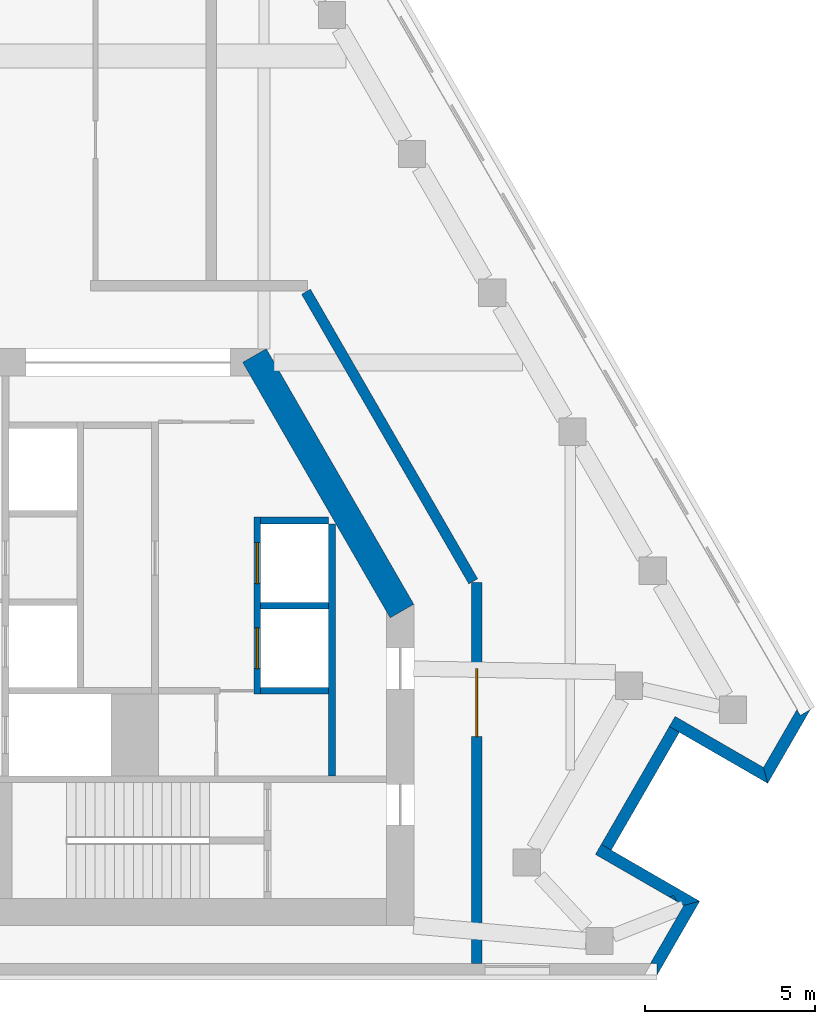
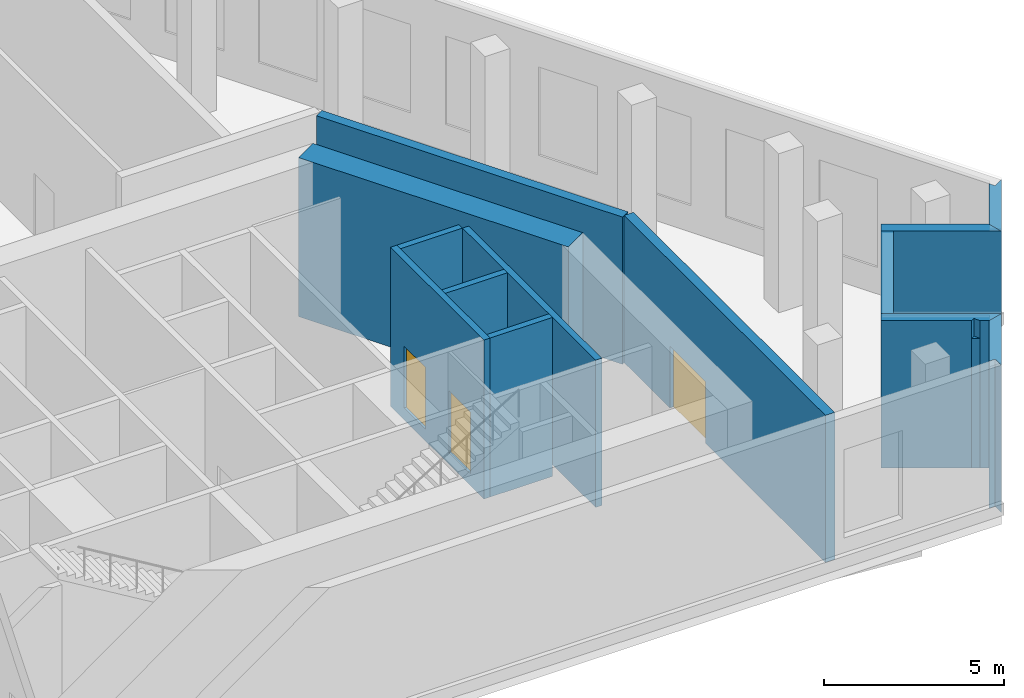
# One storey, part 5 of 8: 14 walls, 3 doors, 3 openings.
"""IFC4 building model written with IfcOpenShell, lengths in metres."""

import ifcopenshell
import ifcopenshell.guid

model = None  # the IFC model being written
_history = None  # IfcOwnerHistory: only IFC2X3 demands one
_inside = {}  # id of a spatial element -> (the spatial element, [elements in it])
_under = {}  # id of a project, library or spatial element -> (it, [spatial elements below it])
_declared = {}  # id of a project -> (the project, [libraries it declares])
_typed = {}  # id of a type object -> (the type object, [elements of that type])
_made_of = {}  # id of a material, layer set ... -> (it, [elements and type objects made of it])


def new_model(schema):
    """Start an empty IFC model of exactly this schema.

    Asked for "IFC4X3", IfcOpenShell would pick the latest addendum, in which some entities
    have other attributes; the version numbers below select the first issue.
    IFC2X3 requires an IfcOwnerHistory on every rooted entity: one is made here for all.
    """
    global model, _history
    if schema == "IFC4X3":
        model = ifcopenshell.file(schema_version=(4, 3, 0, 0))
    else:
        model = ifcopenshell.file(schema=schema)
    _inside.clear()
    _under.clear()
    _declared.clear()
    _typed.clear()
    _made_of.clear()
    _history = None
    if model.schema == "IFC2X3":
        org = make("IfcOrganization", Name="unknown")
        user = make(
            "IfcPersonAndOrganization",
            ThePerson=make("IfcPerson", FamilyName="unknown"),
            TheOrganization=org,
        )
        app = make(
            "IfcApplication",
            ApplicationDeveloper=org,
            Version="unknown",
            ApplicationFullName="unknown",
            ApplicationIdentifier="unknown",
        )
        _history = make(
            "IfcOwnerHistory",
            OwningUser=user,
            OwningApplication=app,
            ChangeAction="ADDED",
            CreationDate=0,
        )
    return model


def make(cls, **values):
    """One entity of the class cls with the attributes given. An attribute that is None is left unset."""
    return model.create_entity(
        cls, **{name: value for name, value in values.items() if value is not None}
    )


def rooted(cls, **values):
    """An entity with a GlobalId (a new one), such as an element, a storey or a relation."""
    return make(cls, GlobalId=ifcopenshell.guid.new(), OwnerHistory=_history, **values)


def si_unit(unit_type, name, prefix=None):
    """IfcSIUnit, for example si_unit("LENGTHUNIT", "METRE", prefix="MILLI")."""
    return make("IfcSIUnit", UnitType=unit_type, Prefix=prefix, Name=name)


def assignment(units):
    """IfcUnitAssignment: the units of a project."""
    return None if units is None else make("IfcUnitAssignment", Units=units)


def point(xyz):
    """IfcCartesianPoint."""
    return None if xyz is None else make("IfcCartesianPoint", Coordinates=xyz)


def direction(xyz):
    """IfcDirection."""
    return None if xyz is None else make("IfcDirection", DirectionRatios=xyz)


def frame(location, z_axis=None, x_axis=None):
    """IfcAxis2Placement3D, a coordinate frame: its origin and axes. An axis left out is left unset."""
    return make(
        "IfcAxis2Placement3D",
        Location=point(location),
        Axis=direction(z_axis),
        RefDirection=direction(x_axis),
    )


def frame_2d(location, x_axis=None):
    """IfcAxis2Placement2D, a coordinate frame in the plane: its origin and x axis."""
    return make(
        "IfcAxis2Placement2D", Location=point(location), RefDirection=direction(x_axis)
    )


def origin():
    """The frame at (0, 0, 0) with its axes left unset."""
    return frame((0.0, 0.0, 0.0))


def place(relative_to, where):
    """IfcLocalPlacement: puts the frame where relative to a parent placement (None: the world)."""
    return make(
        "IfcLocalPlacement", PlacementRelTo=relative_to, RelativePlacement=where
    )


def context(
    kind, dimensions, precision=None, world=None, true_north=None, identifier=None
):
    """IfcGeometricRepresentationContext, for example the 3D "Model" context."""
    return make(
        "IfcGeometricRepresentationContext",
        ContextIdentifier=identifier,
        ContextType=kind,
        CoordinateSpaceDimension=dimensions,
        Precision=precision,
        WorldCoordinateSystem=world,
        TrueNorth=true_north,
    )


def subcontext(parent, identifier, kind, view, scale=None):
    """IfcGeometricRepresentationSubContext, for example "Body" below "Model"."""
    return make(
        "IfcGeometricRepresentationSubContext",
        ContextIdentifier=identifier,
        ContextType=kind,
        ParentContext=parent,
        TargetScale=scale,
        TargetView=view,
    )


def project(units=None, contexts=None):
    """IfcProject with its units and contexts."""
    return rooted(
        "IfcProject",
        Name="project",
        RepresentationContexts=contexts,
        UnitsInContext=assignment(units),
    )


def spatial(cls, under=None, at=None, **own):
    """A site, building, storey or space (cls), placed at a placement, below another one or the project."""
    s = rooted(cls, ObjectPlacement=at, **own)
    if under is not None:
        _under.setdefault(under.id(), (under, []))[1].append(s)
    return s


def polyline(points):
    """IfcPolyline through the points."""
    return make("IfcPolyline", Points=[point(p) for p in points])


def profile(cls, at=None, kind="AREA", **sizes):
    """A parametric profile (cls). Its sizes go by their IFC names, for example OverallWidth=200.0."""
    return make(cls, ProfileType=kind, Position=at, **sizes)


def rectangle(**sizes):
    """IfcRectangleProfileDef."""
    return profile("IfcRectangleProfileDef", **sizes)


def outline(outer, holes=None, kind="AREA"):
    """IfcArbitraryClosedProfileDef: a profile drawn as a closed curve; with holes, ...WithVoids."""
    if holes is None:
        return make("IfcArbitraryClosedProfileDef", ProfileType=kind, OuterCurve=outer)
    return make(
        "IfcArbitraryProfileDefWithVoids",
        ProfileType=kind,
        OuterCurve=outer,
        InnerCurves=holes,
    )


def extrude(swept, where, along, depth):
    """IfcExtrudedAreaSolid: the profile swept, set in the frame where, extruded along a direction by depth."""
    return make(
        "IfcExtrudedAreaSolid",
        SweptArea=swept,
        Position=where,
        ExtrudedDirection=direction(along),
        Depth=depth,
    )


def shape(context_of_items, identifier, shape_type, items):
    """IfcShapeRepresentation: the items that make up one representation, for example the "Body"."""
    return make(
        "IfcShapeRepresentation",
        ContextOfItems=context_of_items,
        RepresentationIdentifier=identifier,
        RepresentationType=shape_type,
        Items=items,
    )


def material(Name=None, Category=None):
    """IfcMaterial."""
    return make("IfcMaterial", Name=Name, Category=Category)


def layer(
    of_material, thickness, ventilated=None, Name=None, Category=None, Priority=None
):
    """IfcMaterialLayer: one layer of a wall or slab, of a material (None: an air gap)."""
    return make(
        "IfcMaterialLayer",
        Material=of_material,
        LayerThickness=thickness,
        IsVentilated=ventilated,
        Name=Name,
        Category=Category,
        Priority=Priority,
    )


def layer_set(layers, Name=None):
    """IfcMaterialLayerSet."""
    return make("IfcMaterialLayerSet", MaterialLayers=layers, LayerSetName=Name)


def made_of(thing, what):
    """Note that an element or type object is made of a material, layer set ...; save() writes the relation."""
    if what is not None:
        _made_of.setdefault(what.id(), (what, []))[1].append(thing)
    return thing


def type_object(cls, material=None, **own):
    """A type object (cls), such as IfcWallType, which elements share."""
    return made_of(rooted(cls, **own), material)


def element(
    cls,
    number,
    at=None,
    inside=None,
    cuts=None,
    type_object=None,
    material=None,
    context=None,
    identifier="Body",
    shape_type=None,
    held_by="IfcProductDefinitionShape",
    body=None,
    shapes=None,
    **own,
):
    """One element of the class cls, such as IfcWall. Its Tag is "e" and its number.

    at: its placement. inside: the storey or other place that contains it. cuts: it is an
    opening in that element (IfcRelVoidsElement). A single representation is given by context,
    identifier, shape_type and body (its items); several are given by shapes. held_by: the class
    of the entity that holds the representations. save() writes the other relations.
    """
    e = rooted(cls, Tag="e%d" % number, ObjectPlacement=at, **own)
    if body is not None:
        shapes = [shape(context, identifier, shape_type, body)]
    if shapes is not None:
        e.Representation = make(held_by, Representations=shapes)
    if inside is not None:
        _inside.setdefault(inside.id(), (inside, []))[1].append(e)
    if cuts is not None:
        rooted(
            "IfcRelVoidsElement", RelatingBuildingElement=cuts, RelatedOpeningElement=e
        )
    if type_object is not None:
        _typed.setdefault(type_object.id(), (type_object, []))[1].append(e)
    return made_of(e, material)


def fill(opening, filler):
    """IfcRelFillsElement: the door or window that sits in an opening."""
    return rooted(
        "IfcRelFillsElement",
        RelatingOpeningElement=opening,
        RelatedBuildingElement=filler,
    )


def aggregate(whole, parts):
    """IfcRelAggregates: a whole, such as a stair, and the parts it consists of."""
    return rooted("IfcRelAggregates", RelatingObject=whole, RelatedObjects=parts)


def save(model, path):
    """Write the relations noted so far, then the file.

    IfcRelAggregates (storeys below a building ...), IfcRelContainedInSpatialStructure (elements
    in a storey), IfcRelDefinesByType, IfcRelAssociatesMaterial and IfcRelDeclares: one each for
    every whole, place, type object, material and project.
    """
    for whole, parts in _under.values():
        aggregate(whole, parts)
    for where, things in _inside.values():
        rooted(
            "IfcRelContainedInSpatialStructure",
            RelatedElements=things,
            RelatingStructure=where,
        )
    for kind, things in _typed.values():
        rooted("IfcRelDefinesByType", RelatedObjects=things, RelatingType=kind)
    for what, things in _made_of.values():
        rooted("IfcRelAssociatesMaterial", RelatedObjects=things, RelatingMaterial=what)
    for by, libraries in _declared.values():
        rooted("IfcRelDeclares", RelatingContext=by, RelatedDefinitions=libraries)
    model.write(path)


model = new_model("IFC4")

# Units and contexts
model_context = context("Model", 3, precision=1e-05, world=origin(), true_north=direction((0.0, 1.0)))
body_context = subcontext(model_context, "Body", "Model", "MODEL_VIEW")
ifc_project = project(units=[si_unit("LENGTHUNIT", "METRE"), si_unit("AREAUNIT", "SQUARE_METRE"), si_unit("VOLUMEUNIT", "CUBIC_METRE"), si_unit("PLANEANGLEUNIT", "RADIAN"), si_unit("MASSUNIT", "GRAM", prefix="KILO")], contexts=[model_context])

# Site, building, storey
site_placement = place(None, origin())
site = spatial("IfcSite", under=ifc_project, at=site_placement, CompositionType="ELEMENT")
building_placement = place(site_placement, origin())
building = spatial("IfcBuilding", under=site, at=building_placement, Name="Fogline Exchange Tower", CompositionType="ELEMENT")
storey_placement = place(building_placement, frame((0.0, 0.0, 304.5)))
storey = spatial("IfcBuildingStorey", under=building, at=storey_placement, Name="L69", CompositionType="ELEMENT", Elevation=304.5)

# Wall
ifc_material_1 = material(Name="Concrete C40", Category="concrete")
ifc_layer_1 = layer(ifc_material_1, 0.199951171875)
ifc_layer_set_1 = layer_set([ifc_layer_1], Name="CW20")
wall_type_1 = type_object("IfcWallType", Name="CW20", PredefinedType="SOLIDWALL", material=ifc_layer_set_1)
wall_1_placement = place(storey_placement, frame((11.0, 5.85009765625, 0.0), z_axis=(0.0, 0.0, 1.0), x_axis=(0.0, 1.0, 0.0)))
element("IfcWall", 1, at=wall_1_placement, inside=storey, type_object=wall_type_1, Name="Service room wall", PredefinedType="SOLIDWALL", context=body_context, shape_type="SweptSolid", body=[
    extrude(rectangle(XDim=7.39990234375, YDim=0.199951171875, at=frame_2d((3.699951171875, 0.0))), origin(), (0.0, 0.0, 1.0), 5.0),
])

# Wall, openings, doors
ifc_layer_2 = layer(ifc_material_1, 0.199951171875)
ifc_layer_set_2 = layer_set([ifc_layer_2], Name="CW20S")
wall_type_2 = type_object("IfcWallType", Name="CW20S", PredefinedType="SOLIDWALL", material=ifc_layer_set_2)
wall_2_placement = place(storey_placement, frame((8.800048828125, 8.25, -0.39990234375), z_axis=(0.0, 0.0, 1.0), x_axis=(0.0, 1.0, 0.0)))
wall_2 = element("IfcWall", 2, at=wall_2_placement, inside=storey, type_object=wall_type_2, Name="Lift shaft wall", PredefinedType="SOLIDWALL", context=body_context, shape_type="SweptSolid", body=[
    extrude(rectangle(XDim=5.199951171875, YDim=0.199951171875, at=frame_2d((2.60009765625, 0.0))), origin(), (0.0, 0.0, 1.0), 5.39990234375),
])
opening_1_placement = place(wall_2_placement, frame((0.75, 0.0, 0.39990234375)))
opening_1 = element("IfcOpeningElement", 3, at=opening_1_placement, cuts=wall_2, Name="Opening L69-LD02", PredefinedType="OPENING", context=body_context, shape_type="SweptSolid", body=[
    extrude(rectangle(XDim=1.199951171875, YDim=2.10009765625, at=frame_2d((0.60009765625, 1.050048828125))), frame((0.0, 0.10986328125, 0.0), z_axis=(0.0, -1.0, 0.0), x_axis=(1.0, 0.0, 0.0)), (0.0, 0.0, 1.0), 0.219970703125),
])
opening_2_placement = place(wall_2_placement, frame((3.25, 0.0, 0.39990234375)))
opening_2 = element("IfcOpeningElement", 4, at=opening_2_placement, cuts=wall_2, Name="Opening L69-LD03", PredefinedType="OPENING", context=body_context, shape_type="SweptSolid", body=[
    extrude(rectangle(XDim=1.199951171875, YDim=2.10009765625, at=frame_2d((0.60009765625, 1.050048828125))), frame((0.0, 0.10986328125, 0.0), z_axis=(0.0, -1.0, 0.0), x_axis=(1.0, 0.0, 0.0)), (0.0, 0.0, 1.0), 0.219970703125),
])
ifc_material_2 = material(Name="Steel and timber fire door", Category="steel")
door_type_1 = type_object("IfcDoorType", Name="LD1", OperationType="SLIDING_TO_LEFT", PredefinedType="DOOR", material=ifc_material_2)
door_1_placement = place(opening_1_placement, origin())
door_1 = element("IfcDoor", 5, at=door_1_placement, inside=storey, type_object=door_type_1, Name="Landing door HR1", OperationType="SLIDING_TO_LEFT", OverallHeight=2.10009765625, OverallWidth=1.199951171875, PredefinedType="DOOR", context=body_context, shape_type="SweptSolid", body=[
    extrude(rectangle(XDim=1.199951171875, YDim=2.10009765625, at=frame_2d((0.60009765625, 1.050048828125))), frame((0.0, 0.02490234375, 0.0), z_axis=(0.0, -1.0, 0.0), x_axis=(1.0, 0.0, 0.0)), (0.0, 0.0, 1.0), 0.050048828125),
])
fill(opening_1, door_1)
door_2_placement = place(opening_2_placement, origin())
door_2 = element("IfcDoor", 6, at=door_2_placement, inside=storey, type_object=door_type_1, Name="Landing door HR2", OperationType="SLIDING_TO_LEFT", OverallHeight=2.10009765625, OverallWidth=1.199951171875, PredefinedType="DOOR", context=body_context, shape_type="SweptSolid", body=[
    extrude(rectangle(XDim=1.199951171875, YDim=2.10009765625, at=frame_2d((0.60009765625, 1.050048828125))), frame((0.0, 0.02490234375, 0.0), z_axis=(0.0, -1.0, 0.0), x_axis=(1.0, 0.0, 0.0)), (0.0, 0.0, 1.0), 0.050048828125),
])
fill(opening_2, door_2)

# Walls
for number, where, z_axis, x_axis, name in (
    (7, (8.89990234375, 8.35009765625, -0.39990234375), (0.0, 0.0, 1.0), (1.0, 0.0, 0.0), "Lift shaft wall"),
    (8, (8.89990234375, 10.85009765625, -0.39990234375), (0.0, 0.0, 1.0), (1.0, 0.0, 0.0), "Lift shaft wall"),
    (9, (8.89990234375, 13.35009765625, -0.39990234375), (0.0, 0.0, 1.0), (1.0, 0.0, 0.0), "Lift shaft wall"),
):
    element("IfcWall", number, at=place(storey_placement, frame(where, z_axis=z_axis, x_axis=x_axis)), inside=storey, type_object=wall_type_2, Name=name, PredefinedType="SOLIDWALL", context=body_context, shape_type="SweptSolid", body=[
        extrude(rectangle(XDim=2.0, YDim=0.199951171875, at=frame_2d((1.0, 0.0))), origin(), (0.0, 0.0, 1.0), 5.39990234375),
    ])
ifc_material_3 = material(Name="Brick masonry", Category="masonry")
ifc_layer_3 = layer(ifc_material_3, 0.340087890625)
ifc_layer_set_3 = layer_set([ifc_layer_3], Name="FW3")
wall_type_3 = type_object("IfcWallType", Name="FW3", PredefinedType="SOLIDWALL", material=ifc_layer_set_3)
wall_3_placement = place(storey_placement, origin())
element("IfcWall", 10, at=wall_3_placement, inside=storey, type_object=wall_type_3, Name="Brick wall L69 SE-c1", PredefinedType="SOLIDWALL", context=body_context, shape_type="SweptSolid", body=[
    extrude(outline(polyline([(21.80322265625, 2.165771484375), (20.55224609375, -0.001220703125), (20.551513671875, -0.0009765625), (20.551513671875, 0.33935546875), (20.354736328125, 0.33935546875), (21.33740234375, 2.041015625), (21.802978515625, 2.166015625), (21.80322265625, 2.165771484375)])), origin(), (0.0, 0.0, 1.0), 5.0),
])
wall_4_placement = place(storey_placement, origin())
element("IfcWall", 11, at=wall_4_placement, inside=storey, type_object=wall_type_3, Name="Brick wall L69 SE-s1", PredefinedType="SOLIDWALL", context=body_context, shape_type="SweptSolid", body=[
    extrude(outline(polyline([(20.9150390625, 2.283935546875), (21.0302734375, 2.343017578125), (21.1220703125, 2.164306640625), (20.9150390625, 2.283935546875)])), origin(), (0.0, 0.0, 1.0), 4.39990234375),
])
wall_5_placement = place(storey_placement, origin())
element("IfcWall", 12, at=wall_5_placement, inside=storey, type_object=wall_type_3, Name="Brick wall L69 SE-s1", PredefinedType="SOLIDWALL", context=body_context, shape_type="SweptSolid", body=[
    extrude(outline(polyline([(18.909423828125, 3.8359375), (19.204345703125, 3.66552734375), (21.803466796875, 2.1650390625), (21.803466796875, 2.164794921875), (21.337646484375, 2.0400390625), (21.1220703125, 2.164306640625), (21.0302734375, 2.343017578125), (20.9150390625, 2.283935546875), (18.73876953125, 3.540283203125), (18.909423828125, 3.8359375)])), origin(), (0.0, 0.0, 1.0), 5.0),
])
wall_6_placement = place(storey_placement, frame((19.056884765625, 3.75, 0.0), z_axis=(0.0, 0.0, 1.0), x_axis=(0.49999894854, 0.866026010844, 0.0)))
element("IfcWall", 13, at=wall_6_placement, inside=storey, type_object=wall_type_3, Name="Brick wall L69 SE-bk", PredefinedType="SOLIDWALL", context=body_context, shape_type="SweptSolid", body=[
    extrude(rectangle(XDim=4.0, YDim=0.340087890625, at=frame_2d((2.0, 0.0))), origin(), (0.0, 0.0, 1.0), 5.0),
])
wall_7_placement = place(storey_placement, origin())
element("IfcWall", 14, at=wall_7_placement, inside=storey, type_object=wall_type_3, Name="Brick wall L69 SE-s2", PredefinedType="SOLIDWALL", context=body_context, shape_type="SweptSolid", body=[
    extrude(outline(polyline([(23.802734375, 5.628173828125), (21.203857421875, 7.128662109375), (20.908935546875, 7.298828125), (21.079345703125, 7.594482421875), (23.67822265625, 6.093994140625), (23.802978515625, 5.62841796875), (23.802734375, 5.628173828125)])), origin(), (0.0, 0.0, 1.0), 5.0),
])
wall_8_placement = place(storey_placement, origin())
element("IfcWall", 15, at=wall_8_placement, inside=storey, type_object=wall_type_3, Name="Brick wall L69 SE-c2", PredefinedType="SOLIDWALL", context=body_context, shape_type="SweptSolid", body=[
    extrude(outline(polyline([(24.65966796875, 7.79541015625), (24.758056640625, 7.625), (25.052734375, 7.79541015625), (25.05322265625, 7.794921875), (23.80224609375, 5.6279296875), (23.8017578125, 5.6279296875), (23.677001953125, 6.09375), (24.65966796875, 7.79541015625)])), origin(), (0.0, 0.0, 1.0), 5.0),
])

# Wall, opening, door
ifc_layer_4 = layer(ifc_material_1, 0.300048828125)
ifc_layer_set_4 = layer_set([ifc_layer_4], Name="PP4")
wall_type_4 = type_object("IfcWallType", Name="PP4", PredefinedType="SOLIDWALL", material=ifc_layer_set_4)
wall_9_placement = place(storey_placement, frame((15.25, 11.53759765625, 0.0), z_axis=(0.0, 0.0, 1.0), x_axis=(0.0, -1.0, 0.0)))
wall_9 = element("IfcWall", 16, at=wall_9_placement, inside=storey, type_object=wall_type_4, Name="PP4 partition", PredefinedType="SOLIDWALL", context=body_context, shape_type="SweptSolid", body=[
    extrude(rectangle(XDim=11.197509765625, YDim=0.300048828125, at=frame_2d((5.5986328125, 0.0))), origin(), (0.0, 0.0, 1.0), 5.0),
])
opening_3_placement = place(wall_9_placement, frame((2.53759765625, 0.0, 0.0)))
opening_3 = element("IfcOpeningElement", 17, at=opening_3_placement, cuts=wall_9, Name="Opening L69-D007", PredefinedType="OPENING", context=body_context, shape_type="SweptSolid", body=[
    extrude(rectangle(XDim=2.0, YDim=2.10009765625, at=frame_2d((1.0, 1.050048828125))), frame((0.0, 0.16015625, 0.0), z_axis=(0.0, -1.0, 0.0), x_axis=(1.0, 0.0, 0.0)), (0.0, 0.0, 1.0), 0.320068359375),
])
ifc_material_4 = material(Name="Steel Q235B", Category="steel")
door_type_2 = type_object("IfcDoorType", Name="PD6", OperationType="DOUBLE_DOOR_SINGLE_SWING", PredefinedType="DOOR", material=ifc_material_4)
door_3_placement = place(opening_3_placement, frame((2.0, 0.0, 0.0), z_axis=(0.0, 0.0, 1.0), x_axis=(-1.0, 0.0, 0.0)))
door_3 = element("IfcDoor", 18, at=door_3_placement, inside=storey, type_object=door_type_2, Name="L69-D007", OperationType="DOUBLE_DOOR_SINGLE_SWING", OverallHeight=2.10009765625, OverallWidth=2.0, PredefinedType="DOOR", context=body_context, shape_type="SweptSolid", body=[
    extrude(rectangle(XDim=2.0, YDim=2.10009765625, at=frame_2d((1.0, 1.050048828125))), frame((0.0, 0.02490234375, 0.0), z_axis=(0.0, -1.0, 0.0), x_axis=(1.0, 0.0, 0.0)), (0.0, 0.0, 1.0), 0.050048828125),
])
fill(opening_3, door_3)

# Walls
wall_10_placement = place(storey_placement, frame((10.23486328125, 20.073974609375, 0.0), z_axis=(0.0, 0.0, 1.0), x_axis=(0.499992751826, -0.866029588479, 0.0)))
element("IfcWall", 19, at=wall_10_placement, inside=storey, type_object=wall_type_4, Name="PP4 partition", PredefinedType="SOLIDWALL", context=body_context, shape_type="SweptSolid", body=[
    extrude(rectangle(XDim=9.825439453125, YDim=0.300048828125, at=frame_2d((4.91259765625, 0.0))), origin(), (0.0, 0.0, 1.0), 5.0),
])
ifc_material_5 = material(Name="Concrete C50", Category="concrete")
ifc_layer_5 = layer(ifc_material_5, 0.800048828125)
ifc_layer_set_5 = layer_set([ifc_layer_5], Name="SW04")
wall_type_5 = type_object("IfcWallType", Name="SW04", PredefinedType="SHEAR", material=ifc_layer_set_5)
wall_11_placement = place(storey_placement, frame((13.0537109375, 10.69189453125, 0.0), z_axis=(0.0, 0.0, 1.0), x_axis=(-0.500015780397, 0.866016292776, 0.0)))
element("IfcWall", 20, at=wall_11_placement, inside=storey, type_object=wall_type_5, Name="L69-W903", PredefinedType="SHEAR", context=body_context, shape_type="SweptSolid", body=[
    extrude(rectangle(XDim=8.669677734375, YDim=0.800048828125, at=frame_2d((4.3349609375, 0.0))), origin(), (0.0, 0.0, 1.0), 5.39990234375),
])

save(model, "model.ifc")
